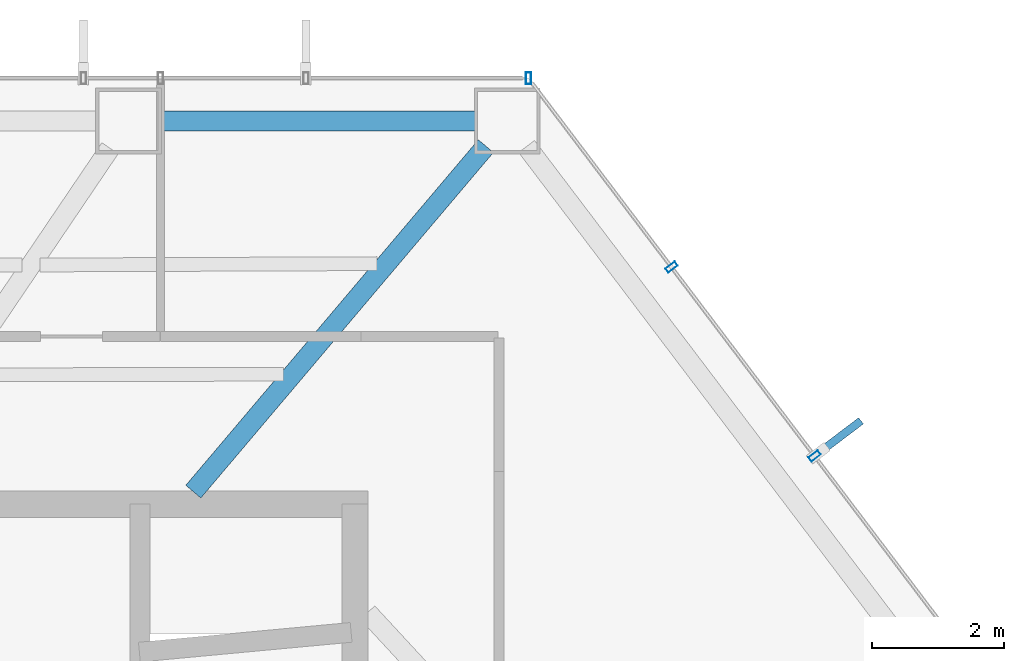
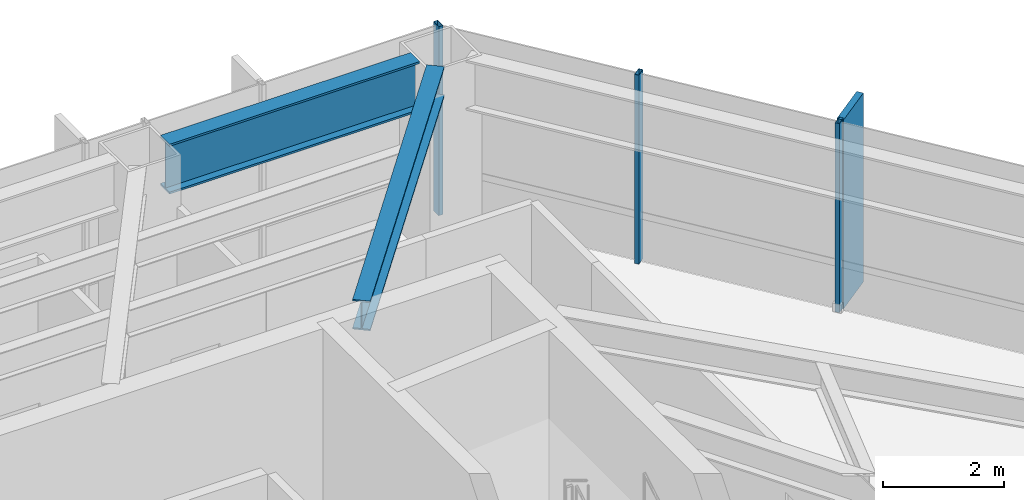
# One storey, part 20 of 25: 4 members, 2 beams, 2 elements without a shape of their own.
"""IFC4 building model written with IfcOpenShell, lengths in metres."""

from ifc_helpers import new_model, si_unit, direction, frame, origin, origin_2d, place, context, subcontext, project, spatial, rectangle, hollow_rectangle, i_section, extrude, material, layer, layer_set, material_profile, profile_set, type_object, element, aggregate, save


model = new_model("IFC4")

# Units and contexts
model_context = context("Model", 3, precision=1e-05, world=origin(), true_north=direction((0.0, 1.0)))
body_context = subcontext(model_context, "Body", "Model", "MODEL_VIEW")
ifc_project = project(units=[si_unit("LENGTHUNIT", "METRE"), si_unit("AREAUNIT", "SQUARE_METRE"), si_unit("VOLUMEUNIT", "CUBIC_METRE"), si_unit("PLANEANGLEUNIT", "RADIAN"), si_unit("MASSUNIT", "GRAM", prefix="KILO")], contexts=[model_context])

# Site, building, storey
site_placement = place(None, origin())
site = spatial("IfcSite", under=ifc_project, at=site_placement, CompositionType="ELEMENT")
building_placement = place(site_placement, origin())
building = spatial("IfcBuilding", under=site, at=building_placement, Name="Zarrinselat Tower", CompositionType="ELEMENT")
storey_placement = place(building_placement, frame((0.0, 0.0, 52.02001953125)))
storey = spatial("IfcBuildingStorey", under=building, at=storey_placement, Name="L12", CompositionType="ELEMENT", Elevation=52.02001953125)

# Beams
ifc_material_1 = material(Name="Steel S355J2", Category="steel")
ifc_material_profile_1 = material_profile(ifc_material_1, i_section(OverallWidth=0.300048828125, OverallDepth=0.60009765625, WebThickness=0.015380859375, FlangeThickness=0.030029296875, at=origin_2d()), Name="HEB 600")
ifc_profile_set_1 = profile_set([ifc_material_profile_1], Name="Steel S355J2")
beam_type_1 = type_object("IfcBeamType", Name="BM-HEB600", PredefinedType="BEAM", material=ifc_profile_set_1)
beam_1_placement = place(storey_placement, frame((45.800048828125, 43.639892578125, 3.52001953125), z_axis=(0.646218754894, 0.763152226508, 0.0), x_axis=(-0.763152226508, 0.646218754894, 0.0)))
element("IfcBeam", 1, at=beam_1_placement, inside=storey, type_object=beam_type_1, Name="L12 Radial Primary Girder RG01", PredefinedType="BEAM", context=body_context, shape_type="SweptSolid", body=[
    extrude(i_section(OverallWidth=0.300048828125, OverallDepth=0.60009765625, WebThickness=0.015380859375, FlangeThickness=0.030029296875, at=origin_2d()), origin(), (0.0, 0.0, 1.0), 6.8857421875),
])
ifc_material_2 = material(Name="Steel S460M", Category="steel")
ifc_material_profile_2 = material_profile(ifc_material_2, i_section(OverallWidth=0.302001953125, OverallDepth=1.008056640625, WebThickness=0.02099609375, FlangeThickness=0.0400390625, at=origin_2d()), Name="HEM 1000")
ifc_profile_set_2 = profile_set([ifc_material_profile_2], Name="Steel S460M")
beam_type_2 = type_object("IfcBeamType", Name="BM-HEM1000", PredefinedType="BEAM", material=ifc_profile_set_2)
beam_2_placement = place(storey_placement, frame((45.30224609375, 49.27783203125, 3.31591796875), z_axis=(1.0, 0.0, 0.0), x_axis=(0.0, 1.0, 0.0)))
element("IfcBeam", 2, at=beam_2_placement, inside=storey, type_object=beam_type_2, Name="L12 Perimeter Spandrel Girder SP01", PredefinedType="BEAM", context=body_context, shape_type="SweptSolid", body=[
    extrude(i_section(OverallWidth=0.302001953125, OverallDepth=1.008056640625, WebThickness=0.02099609375, FlangeThickness=0.0400390625, at=origin_2d()), origin(), (0.0, 0.0, 1.0), 4.783935546875),
])

# Curtain wall, member
ifc_material_3 = material(Name="Extruded Aluminium Alloy EN AW-6063 T6", Category="aluminium")
ifc_layer = layer(ifc_material_3, 0.18505859375)
ifc_layer_set = layer_set([ifc_layer], Name="Extruded Aluminium Alloy EN AW-6063 T6")
curtain_wall_type = type_object("IfcCurtainWallType", Name="CWS-OFF", PredefinedType="NOTDEFINED", material=ifc_layer_set)
curtain_wall_1_placement = place(storey_placement, origin())
curtain_wall_1 = element("IfcCurtainWall", 3, at=curtain_wall_1_placement, inside=storey, type_object=curtain_wall_type, Name="L12 Unitised Curtain Wall CW-L12-E01", PredefinedType="NOTDEFINED")
ifc_material_4 = material(Name="Extruded Aluminium Alloy EN AW-6063 T6", Category="aluminium")
ifc_material_profile_3 = material_profile(ifc_material_4, hollow_rectangle(XDim=0.080078125, YDim=0.179931640625, WallThickness=0.0048828125, at=origin_2d()), Name="RHS 180x80x5")
ifc_profile_set_3 = profile_set([ifc_material_profile_3], Name="Extruded Aluminium Alloy EN AW-6063 T6")
member_type_1 = type_object("IfcMemberType", Name="MEM-CW-MUL", PredefinedType="MULLION", material=ifc_profile_set_3)
member_1_placement = place(storey_placement, frame((50.897216796875, 49.927734375, 0.0), z_axis=(0.0, 0.0, 1.0), x_axis=(-1.0, 0.0, 0.0)))
member_1 = element("IfcMember", 4, at=member_1_placement, type_object=member_type_1, Name="CW-L12-E01 Mullion 0", PredefinedType="MULLION", context=body_context, shape_type="SweptSolid", body=[
    extrude(hollow_rectangle(XDim=0.080078125, YDim=0.179931640625, WallThickness=0.0048828125, at=origin_2d()), origin(), (0.0, 0.0, 1.0), 3.820068359375),
])
aggregate(curtain_wall_1, [member_1])

# Curtain wall, members
curtain_wall_2_placement = place(storey_placement, origin())
curtain_wall_2 = element("IfcCurtainWall", 5, at=curtain_wall_2_placement, inside=storey, type_object=curtain_wall_type, Name="L12 Unitised Curtain Wall CW-L12-E06", PredefinedType="NOTDEFINED")
member_2_placement = place(storey_placement, frame((55.249267578125, 44.18310546875, 0.0), z_axis=(0.0, 0.0, 1.0), x_axis=(-0.603856726294, 0.797092876715, 0.0)))
member_2 = element("IfcMember", 6, at=member_2_placement, type_object=member_type_1, Name="CW-L12-E06 Mullion 3", PredefinedType="MULLION", context=body_context, shape_type="SweptSolid", body=[
    extrude(hollow_rectangle(XDim=0.080078125, YDim=0.179931640625, WallThickness=0.0048828125, at=origin_2d()), origin(), (0.0, 0.0, 1.0), 3.820068359375),
])
member_3_placement = place(storey_placement, frame((53.0732421875, 47.055419921875, 0.0), z_axis=(0.0, 0.0, 1.0), x_axis=(-0.603856726294, 0.797092876715, 0.0)))
member_3 = element("IfcMember", 7, at=member_3_placement, type_object=member_type_1, Name="CW-L12-E06 Mullion 4", PredefinedType="MULLION", context=body_context, shape_type="SweptSolid", body=[
    extrude(hollow_rectangle(XDim=0.080078125, YDim=0.179931640625, WallThickness=0.0048828125, at=origin_2d()), origin(), (0.0, 0.0, 1.0), 3.820068359375),
])
ifc_material_5 = material(Name="Honed Cream Travertine Stone", Category="masonry")
ifc_material_profile_4 = material_profile(ifc_material_5, rectangle(XDim=0.1201171875, YDim=0.85009765625, at=origin_2d()), Name="FIN 850x120")
ifc_profile_set_4 = profile_set([ifc_material_profile_4], Name="Honed Cream Travertine Stone")
member_type_2 = type_object("IfcMemberType", Name="MEM-STONE-FIN", PredefinedType="USERDEFINED", material=ifc_profile_set_4)
member_4_placement = place(storey_placement, frame((55.615966796875, 44.460693359375, 0.0), z_axis=(0.0, 0.0, 1.0), x_axis=(0.603856726294, -0.797092876715, 0.0)))
member_4 = element("IfcMember", 8, at=member_4_placement, type_object=member_type_2, Name="L12 Stone Shading Fin CW-L12-E06-03", ObjectType="FIN", PredefinedType="USERDEFINED", context=body_context, shape_type="SweptSolid", body=[
    extrude(rectangle(XDim=0.1201171875, YDim=0.85009765625, at=origin_2d()), origin(), (0.0, 0.0, 1.0), 3.820068359375),
])
aggregate(curtain_wall_2, [member_2, member_4, member_3])

save(model, "model.ifc")
